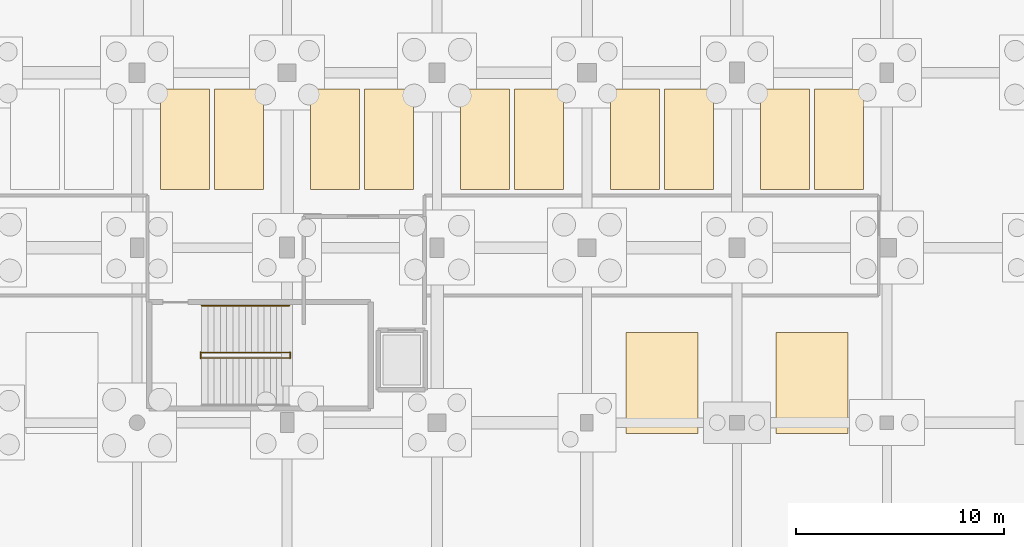
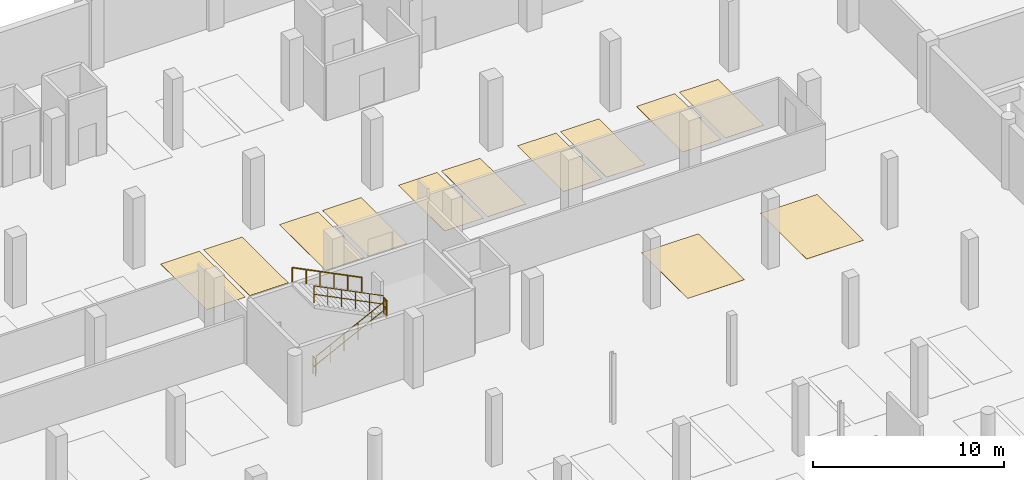
# One storey, part 31 of 35: 12 coverings, 5 railings.
"""IFC4 building model written with IfcOpenShell, lengths in metres."""

from ifc_helpers import new_model, si_unit, direction, frame, origin, origin_2d, place, context, subcontext, project, spatial, polyline, circle, outline, extrude, material, layer, layer_set, type_object, element, save


model = new_model("IFC4")

# Units and contexts
model_context = context("Model", 3, precision=1e-05, world=origin(), true_north=direction((0.0, 1.0)))
body_context = subcontext(model_context, "Body", "Model", "MODEL_VIEW")
ifc_project = project(units=[si_unit("LENGTHUNIT", "METRE"), si_unit("AREAUNIT", "SQUARE_METRE"), si_unit("VOLUMEUNIT", "CUBIC_METRE"), si_unit("PLANEANGLEUNIT", "RADIAN"), si_unit("MASSUNIT", "GRAM", prefix="KILO")], contexts=[model_context])

# Site, building, storey
site_placement = place(None, origin())
site = spatial("IfcSite", under=ifc_project, at=site_placement, CompositionType="ELEMENT")
building_placement = place(site_placement, origin())
building = spatial("IfcBuilding", under=site, at=building_placement, Name="Kalluvel Institute of Natural Sciences", CompositionType="ELEMENT")
storey_placement = place(building_placement, frame((0.0, 0.0, -4.5)))
storey = spatial("IfcBuildingStorey", under=building, at=storey_placement, Name="B1", CompositionType="ELEMENT", Elevation=-4.5)

# Coverings
ifc_material_1 = material(Name="Seamless Chemical-Resistant Epoxy Flooring", Category="resin")
ifc_layer = layer(ifc_material_1, 0.014892578125)
ifc_layer_set = layer_set([ifc_layer], Name="Seamless Chemical-Resistant Epoxy Flooring")
covering_type = type_object("IfcCoveringType", Name="COV-FLR-EPOXY", PredefinedType="FLOORING", material=ifc_layer_set)
covering_1_placement = place(storey_placement, origin())
element("IfcCovering", 1, at=covering_1_placement, inside=storey, type_object=covering_type, Name="Parking bay marking B1-P05", PredefinedType="FLOORING", context=body_context, shape_type="SweptSolid", body=[
    extrude(outline(polyline([(43.929931640625, 105.580078125), (46.27001953125, 105.580078125), (46.27001953125, 110.419921875), (43.929931640625, 110.419921875), (43.929931640625, 105.580078125)])), origin(), (0.0, 0.0, 1.0), 0.008056640625),
])
covering_2_placement = place(storey_placement, origin())
element("IfcCovering", 2, at=covering_2_placement, inside=storey, type_object=covering_type, Name="Parking bay marking B1-P06", PredefinedType="FLOORING", context=body_context, shape_type="SweptSolid", body=[
    extrude(outline(polyline([(46.530029296875, 105.580078125), (48.8701171875, 105.580078125), (48.8701171875, 110.419921875), (46.530029296875, 110.419921875), (46.530029296875, 105.580078125)])), origin(), (0.0, 0.0, 1.0), 0.008056640625),
])
covering_3_placement = place(storey_placement, origin())
element("IfcCovering", 3, at=covering_3_placement, inside=storey, type_object=covering_type, Name="Parking bay marking B1-P07", PredefinedType="FLOORING", context=body_context, shape_type="SweptSolid", body=[
    extrude(outline(polyline([(51.1298828125, 105.580078125), (53.469970703125, 105.580078125), (53.469970703125, 110.419921875), (51.1298828125, 110.419921875), (51.1298828125, 105.580078125)])), origin(), (0.0, 0.0, 1.0), 0.008056640625),
])
covering_4_placement = place(storey_placement, origin())
element("IfcCovering", 4, at=covering_4_placement, inside=storey, type_object=covering_type, Name="Parking bay marking B1-P08", PredefinedType="FLOORING", context=body_context, shape_type="SweptSolid", body=[
    extrude(outline(polyline([(53.72998046875, 105.580078125), (56.070068359375, 105.580078125), (56.070068359375, 110.419921875), (53.72998046875, 110.419921875), (53.72998046875, 105.580078125)])), origin(), (0.0, 0.0, 1.0), 0.008056640625),
])
covering_5_placement = place(storey_placement, origin())
element("IfcCovering", 5, at=covering_5_placement, inside=storey, type_object=covering_type, Name="Parking bay marking B1-P09", PredefinedType="FLOORING", context=body_context, shape_type="SweptSolid", body=[
    extrude(outline(polyline([(58.330078125, 105.580078125), (60.669921875, 105.580078125), (60.669921875, 110.419921875), (58.330078125, 110.419921875), (58.330078125, 105.580078125)])), origin(), (0.0, 0.0, 1.0), 0.008056640625),
])
covering_6_placement = place(storey_placement, origin())
element("IfcCovering", 6, at=covering_6_placement, inside=storey, type_object=covering_type, Name="Parking bay marking B1-P10", PredefinedType="FLOORING", context=body_context, shape_type="SweptSolid", body=[
    extrude(outline(polyline([(60.929931640625, 105.580078125), (63.27001953125, 105.580078125), (63.27001953125, 110.419921875), (60.929931640625, 110.419921875), (60.929931640625, 105.580078125)])), origin(), (0.0, 0.0, 1.0), 0.008056640625),
])
covering_7_placement = place(storey_placement, origin())
element("IfcCovering", 7, at=covering_7_placement, inside=storey, type_object=covering_type, Name="Parking bay marking B1-P11", PredefinedType="FLOORING", context=body_context, shape_type="SweptSolid", body=[
    extrude(outline(polyline([(65.530029296875, 105.580078125), (67.8701171875, 105.580078125), (67.8701171875, 110.419921875), (65.530029296875, 110.419921875), (65.530029296875, 105.580078125)])), origin(), (0.0, 0.0, 1.0), 0.008056640625),
])
covering_8_placement = place(storey_placement, origin())
element("IfcCovering", 8, at=covering_8_placement, inside=storey, type_object=covering_type, Name="Parking bay marking B1-P12", PredefinedType="FLOORING", context=body_context, shape_type="SweptSolid", body=[
    extrude(outline(polyline([(68.1298828125, 105.580078125), (70.469970703125, 105.580078125), (70.469970703125, 110.419921875), (68.1298828125, 110.419921875), (68.1298828125, 105.580078125)])), origin(), (0.0, 0.0, 1.0), 0.008056640625),
])
covering_9_placement = place(storey_placement, origin())
element("IfcCovering", 9, at=covering_9_placement, inside=storey, type_object=covering_type, Name="Parking bay marking B1-P13", PredefinedType="FLOORING", context=body_context, shape_type="SweptSolid", body=[
    extrude(outline(polyline([(72.72998046875, 105.580078125), (75.070068359375, 105.580078125), (75.070068359375, 110.419921875), (72.72998046875, 110.419921875), (72.72998046875, 105.580078125)])), origin(), (0.0, 0.0, 1.0), 0.008056640625),
])
covering_10_placement = place(storey_placement, origin())
element("IfcCovering", 10, at=covering_10_placement, inside=storey, type_object=covering_type, Name="Parking bay marking B1-P14", PredefinedType="FLOORING", context=body_context, shape_type="SweptSolid", body=[
    extrude(outline(polyline([(75.330078125, 105.580078125), (77.669921875, 105.580078125), (77.669921875, 110.419921875), (75.330078125, 110.419921875), (75.330078125, 105.580078125)])), origin(), (0.0, 0.0, 1.0), 0.008056640625),
])
covering_11_placement = place(storey_placement, origin())
element("IfcCovering", 11, at=covering_11_placement, inside=storey, type_object=covering_type, Name="Accessible parking bay marking B1-PA03", PredefinedType="FLOORING", context=body_context, shape_type="SweptSolid", body=[
    extrude(outline(polyline([(66.280029296875, 93.8798828125), (69.719970703125, 93.8798828125), (69.719970703125, 98.719970703125), (66.280029296875, 98.719970703125), (66.280029296875, 93.8798828125)])), origin(), (0.0, 0.0, 1.0), 0.008056640625),
])
covering_12_placement = place(storey_placement, origin())
element("IfcCovering", 12, at=covering_12_placement, inside=storey, type_object=covering_type, Name="Accessible parking bay marking B1-PA04", PredefinedType="FLOORING", context=body_context, shape_type="SweptSolid", body=[
    extrude(outline(polyline([(73.47998046875, 93.8798828125), (76.919921875, 93.8798828125), (76.919921875, 98.719970703125), (73.47998046875, 98.719970703125), (73.47998046875, 93.8798828125)])), origin(), (0.0, 0.0, 1.0), 0.008056640625),
])

# Railings
ifc_material_2 = material(Name="Galvanized Fire-Rated Steel", Category="steel")
railing_type_1 = type_object("IfcRailingType", Name="RL-GD-STAIR", PredefinedType="BALUSTRADE", material=ifc_material_2)
railing_1_placement = place(storey_placement, frame((45.89990234375, 97.510009765625, 0.14990234375)))
element("IfcRailing", 13, at=railing_1_placement, inside=storey, type_object=railing_type_1, Name="B1 ST3 stair guard 1", PredefinedType="BALUSTRADE", context=body_context, shape_type="SweptSolid", body=[
    extrude(circle(Radius=0.02392578125, at=origin_2d()), frame((0.0, 0.0, 1.09619140625), z_axis=(0.894427191, 0.0, 0.4472135955), x_axis=(0.0, 1.0, 0.0)), (0.0, 0.0, 1.0), 4.696044921875),
    extrude(circle(Radius=0.02392578125, at=origin_2d()), frame((0.0, 0.0, 0.56005859375), z_axis=(0.894427191, 0.0, 0.4472135955), x_axis=(0.0, 1.0, 0.0)), (0.0, 0.0, 1.0), 4.696044921875),
    extrude(circle(Radius=0.02099609375, at=origin_2d()), origin(), (0.0, 0.0, 1.0), 1.072021484375),
    extrude(circle(Radius=0.02099609375, at=origin_2d()), frame((0.840087890625, 0.0, 0.419921875)), (0.0, 0.0, 1.0), 1.072021484375),
    extrude(circle(Radius=0.02099609375, at=origin_2d()), frame((1.68017578125, 0.0, 0.840087890625)), (0.0, 0.0, 1.0), 1.072021484375),
    extrude(circle(Radius=0.02099609375, at=origin_2d()), frame((2.52001953125, 0.0, 1.260009765625)), (0.0, 0.0, 1.0), 1.072021484375),
    extrude(circle(Radius=0.02099609375, at=origin_2d()), frame((3.360107421875, 0.0, 1.68017578125)), (0.0, 0.0, 1.0), 1.072021484375),
    extrude(circle(Radius=0.02099609375, at=origin_2d()), frame((4.2001953125, 0.0, 2.10009765625)), (0.0, 0.0, 1.0), 1.072021484375),
])
railing_2_placement = place(storey_placement, frame((50.14990234375, 97.4951171875, 2.25)))
element("IfcRailing", 14, at=railing_2_placement, inside=storey, type_object=railing_type_1, Name="B1 ST3 stair guard 2", PredefinedType="BALUSTRADE", context=body_context, shape_type="SweptSolid", body=[
    extrude(circle(Radius=0.02392578125, at=origin_2d()), frame((0.0, 0.0, 1.09619140625), z_axis=(0.0, 1.0, 0.0), x_axis=(-1.0, 0.0, 0.0)), (0.0, 0.0, 1.0), 0.27978515625),
    extrude(circle(Radius=0.02392578125, at=origin_2d()), frame((0.0, 0.0, 0.56005859375), z_axis=(0.0, 1.0, 0.0), x_axis=(-1.0, 0.0, 0.0)), (0.0, 0.0, 1.0), 0.27978515625),
    extrude(circle(Radius=0.02099609375, at=origin_2d()), origin(), (0.0, 0.0, 1.0), 1.072021484375),
    extrude(circle(Radius=0.02099609375, at=origin_2d()), frame((0.0, 0.27978515625, 0.0)), (0.0, 0.0, 1.0), 1.072021484375),
])
railing_3_placement = place(storey_placement, frame((50.10009765625, 97.760009765625, 2.39990234375)))
element("IfcRailing", 15, at=railing_3_placement, inside=storey, type_object=railing_type_1, Name="B1 ST3 stair guard 3", PredefinedType="BALUSTRADE", context=body_context, shape_type="SweptSolid", body=[
    extrude(circle(Radius=0.02392578125, at=origin_2d()), frame((0.0, 0.0, 1.09619140625), z_axis=(-0.894427191, 0.0, 0.4472135955), x_axis=(0.0, -1.0, 0.0)), (0.0, 0.0, 1.0), 4.696044921875),
    extrude(circle(Radius=0.02392578125, at=origin_2d()), frame((0.0, 0.0, 0.56005859375), z_axis=(-0.894427191, 0.0, 0.4472135955), x_axis=(0.0, -1.0, 0.0)), (0.0, 0.0, 1.0), 4.696044921875),
    extrude(circle(Radius=0.02099609375, at=origin_2d()), origin(), (0.0, 0.0, 1.0), 1.072021484375),
    extrude(circle(Radius=0.02099609375, at=origin_2d()), frame((-0.840087890625, 0.0, 0.419921875)), (0.0, 0.0, 1.0), 1.072021484375),
    extrude(circle(Radius=0.02099609375, at=origin_2d()), frame((-1.68017578125, 0.0, 0.840087890625)), (0.0, 0.0, 1.0), 1.072021484375),
    extrude(circle(Radius=0.02099609375, at=origin_2d()), frame((-2.52001953125, 0.0, 1.260009765625)), (0.0, 0.0, 1.0), 1.072021484375),
    extrude(circle(Radius=0.02099609375, at=origin_2d()), frame((-3.360107421875, 0.0, 1.68017578125)), (0.0, 0.0, 1.0), 1.072021484375),
    extrude(circle(Radius=0.02099609375, at=origin_2d()), frame((-4.2001953125, 0.0, 2.10009765625)), (0.0, 0.0, 1.0), 1.072021484375),
])
railing_4_placement = place(storey_placement, frame((45.85009765625, 97.4951171875, 0.0)))
element("IfcRailing", 16, at=railing_4_placement, inside=storey, type_object=railing_type_1, Name="B1 ST3 stair guard 4", PredefinedType="BALUSTRADE", context=body_context, shape_type="SweptSolid", body=[
    extrude(circle(Radius=0.02392578125, at=origin_2d()), frame((0.0, 0.0, 1.09619140625), z_axis=(0.0, 1.0, 0.0), x_axis=(-1.0, 0.0, 0.0)), (0.0, 0.0, 1.0), 0.27978515625),
    extrude(circle(Radius=0.02392578125, at=origin_2d()), frame((0.0, 0.0, 0.56005859375), z_axis=(0.0, 1.0, 0.0), x_axis=(-1.0, 0.0, 0.0)), (0.0, 0.0, 1.0), 0.27978515625),
    extrude(circle(Radius=0.02099609375, at=origin_2d()), origin(), (0.0, 0.0, 1.0), 1.072021484375),
    extrude(circle(Radius=0.02099609375, at=origin_2d()), frame((0.0, 0.27978515625, 0.0)), (0.0, 0.0, 1.0), 1.072021484375),
])
railing_type_2 = type_object("IfcRailingType", Name="RL-HR-STAIR", PredefinedType="HANDRAIL", material=ifc_material_2)
railing_5_placement = place(storey_placement, frame((50.10009765625, 100.02001953125, 2.39990234375)))
element("IfcRailing", 17, at=railing_5_placement, inside=storey, type_object=railing_type_2, Name="B1 ST3 stair handrail 2", PredefinedType="HANDRAIL", context=body_context, shape_type="SweptSolid", body=[
    extrude(circle(Radius=0.02392578125, at=origin_2d()), frame((0.0, 0.0, 0.89599609375), z_axis=(-0.894427191, 0.0, 0.4472135955), x_axis=(0.0, -1.0, 0.0)), (0.0, 0.0, 1.0), 4.696044921875),
    extrude(circle(Radius=0.02099609375, at=origin_2d()), origin(), (0.0, 0.0, 1.0), 0.871826171875),
    extrude(circle(Radius=0.02099609375, at=origin_2d()), frame((-0.840087890625, 0.0, 0.419921875)), (0.0, 0.0, 1.0), 0.871826171875),
    extrude(circle(Radius=0.02099609375, at=origin_2d()), frame((-1.68017578125, 0.0, 0.840087890625)), (0.0, 0.0, 1.0), 0.871826171875),
    extrude(circle(Radius=0.02099609375, at=origin_2d()), frame((-2.52001953125, 0.0, 1.260009765625)), (0.0, 0.0, 1.0), 0.871826171875),
    extrude(circle(Radius=0.02099609375, at=origin_2d()), frame((-3.360107421875, 0.0, 1.68017578125)), (0.0, 0.0, 1.0), 0.871826171875),
    extrude(circle(Radius=0.02099609375, at=origin_2d()), frame((-4.2001953125, 0.0, 2.10009765625)), (0.0, 0.0, 1.0), 0.871826171875),
])

save(model, "model.ifc")
